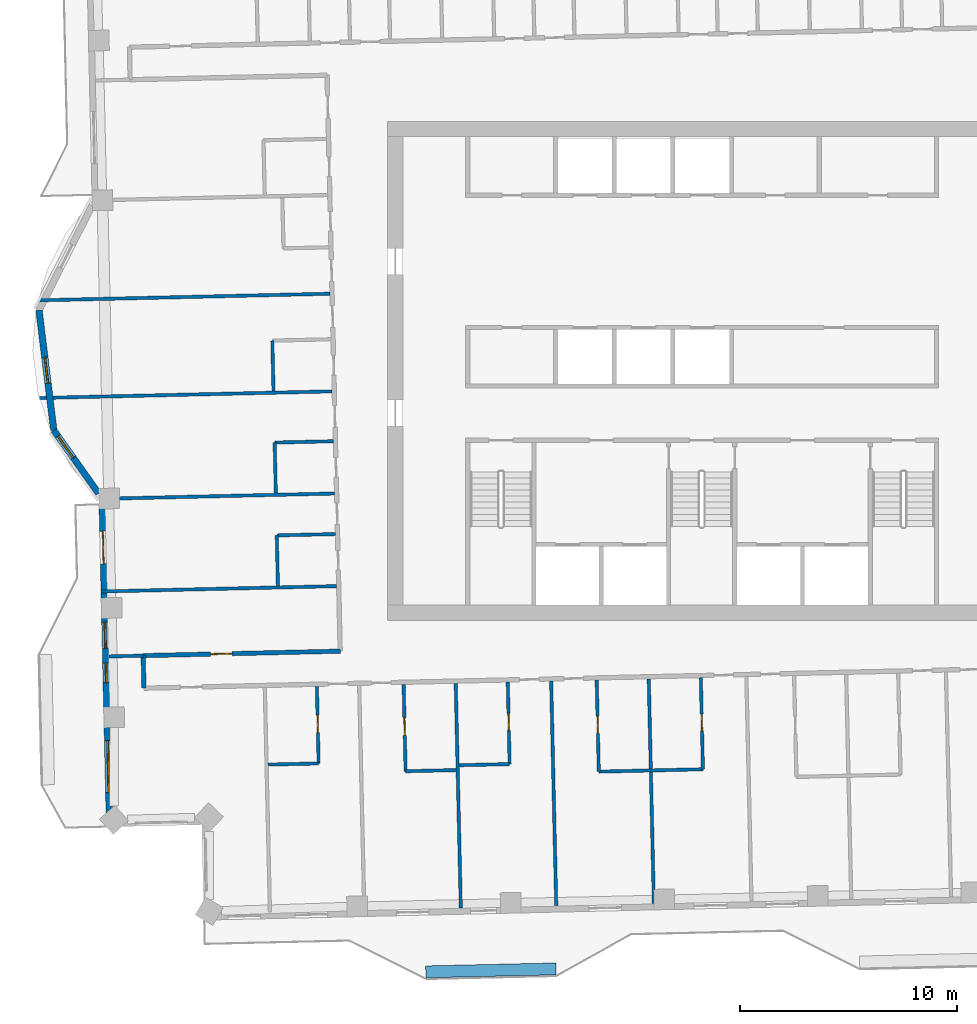
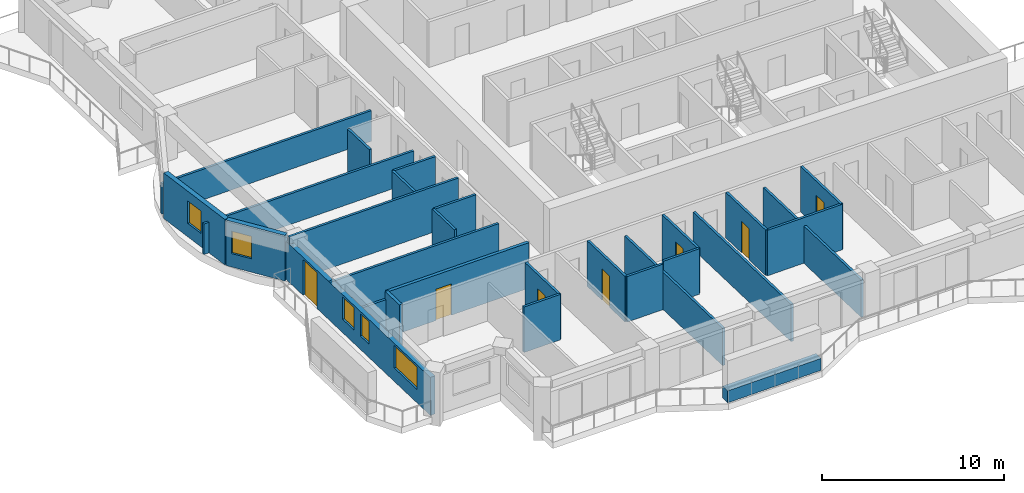
# One storey, part 6 of 18: 28 walls, 7 doors, 5 windows, 12 openings.
"""IFC4 building model written with IfcOpenShell, lengths in metres."""

from ifc_helpers import new_model, si_unit, direction, frame, frame_2d, origin, place, context, subcontext, project, spatial, rectangle, extrude, material, layer, layer_set, type_object, element, fill, save


model = new_model("IFC4")

# Units and contexts
model_context = context("Model", 3, precision=1e-05, world=origin(), true_north=direction((0.0, 1.0)))
body_context = subcontext(model_context, "Body", "Model", "MODEL_VIEW")
ifc_project = project(units=[si_unit("LENGTHUNIT", "METRE"), si_unit("AREAUNIT", "SQUARE_METRE"), si_unit("VOLUMEUNIT", "CUBIC_METRE"), si_unit("PLANEANGLEUNIT", "RADIAN"), si_unit("MASSUNIT", "GRAM", prefix="KILO")], contexts=[model_context])

# Site, building, storey
site_placement = place(None, origin())
site = spatial("IfcSite", under=ifc_project, at=site_placement, CompositionType="ELEMENT")
building_placement = place(site_placement, origin())
building = spatial("IfcBuilding", under=site, at=building_placement, Name="Mangrove Gate Tower", CompositionType="ELEMENT")
storey_placement = place(building_placement, frame((0.0, 0.0, 290.699951171875)))
storey = spatial("IfcBuildingStorey", under=building, at=storey_placement, Name="L74", CompositionType="ELEMENT", Elevation=290.699951171875)

# Wall
ifc_material_1 = material(Name="Gypsum board on steel stud, EI 60", Category="steel")
ifc_layer_1 = layer(ifc_material_1, 0.199951171875)
ifc_layer_set_1 = layer_set([ifc_layer_1], Name="Corridor wall EI 60")
wall_type_1 = type_object("IfcWallType", Name="Corridor wall EI 60", PredefinedType="PARTITIONING", material=ifc_layer_set_1)
wall_1_placement = place(storey_placement, frame((-25.72802734375, -14.6240234375, 0.0), z_axis=(0.0, 0.0, 1.0), x_axis=(-0.022632637625, 0.99974384905, 0.0)))
element("IfcWall", 1, at=wall_1_placement, inside=storey, type_object=wall_type_1, Name="WALL-L74-030", PredefinedType="PARTITIONING", context=body_context, shape_type="SweptSolid", body=[
    extrude(rectangle(XDim=1.49951171875, YDim=0.199951171875, at=frame_2d((0.749755859375, 0.0))), origin(), (0.0, 0.0, 1.0), 3.050048828125),
])

# Wall, opening, door
wall_2_placement = place(storey_placement, frame((-25.764892578125, -13.125, 0.0), z_axis=(0.0, 0.0, 1.0), x_axis=(0.999740502457, 0.022779985654, 0.0)))
wall_2 = element("IfcWall", 2, at=wall_2_placement, inside=storey, type_object=wall_type_1, Name="WALL-L74-033", PredefinedType="PARTITIONING", context=body_context, shape_type="SweptSolid", body=[
    extrude(rectangle(XDim=9.08837890625, YDim=0.199951171875, at=frame_2d((4.544189453125, 0.0))), origin(), (0.0, 0.0, 1.0), 3.050048828125),
])
opening_1_placement = place(wall_2_placement, frame((3.10693359375, 0.0, 0.0)))
opening_1 = element("IfcOpeningElement", 3, at=opening_1_placement, cuts=wall_2, Name="Opening AD", PredefinedType="OPENING", context=body_context, shape_type="SweptSolid", body=[
    extrude(rectangle(XDim=1.0, YDim=2.10009765625, at=frame_2d((0.5, 1.050048828125))), frame((0.0, 0.10986328125, 0.0), z_axis=(0.0, -1.0, 0.0), x_axis=(1.0, 0.0, 0.0)), (0.0, 0.0, 1.0), 0.219970703125),
])
ifc_material_2 = material(Name="Timber door leaf", Category="wood")
door_type_1 = type_object("IfcDoorType", Name="Amenity door 1000", OperationType="SINGLE_SWING_LEFT", PredefinedType="DOOR", material=ifc_material_2)
door_1_placement = place(opening_1_placement, origin())
door_1 = element("IfcDoor", 4, at=door_1_placement, inside=storey, type_object=door_type_1, Name="DOOR-L74-STU-c5b", OperationType="SINGLE_SWING_RIGHT", OverallHeight=2.10009765625, OverallWidth=1.0, PredefinedType="DOOR", context=body_context, shape_type="SweptSolid", body=[
    extrude(rectangle(XDim=1.0, YDim=2.10009765625, at=frame_2d((0.5, 1.050048828125))), frame((0.0, 0.02490234375, 0.0), z_axis=(0.0, -1.0, 0.0), x_axis=(1.0, 0.0, 0.0)), (0.0, 0.0, 1.0), 0.050048828125),
])
fill(opening_1, door_1)

# Wall, opening, window
ifc_material_3 = material(Name="Limestone", Category="masonry")
ifc_layer_2 = layer(ifc_material_3, 0.0400390625, Name="Limestone cladding")
ifc_material_4 = material(Name="Ventilated air gap")
ifc_layer_3 = layer(ifc_material_4, 0.0400390625, Name="Ventilated cavity")
ifc_material_5 = material(Name="Mineral wool insulation")
ifc_layer_4 = layer(ifc_material_5, 0.06005859375, Name="Insulation")
ifc_material_6 = material(Name="Breather membrane")
ifc_layer_5 = layer(ifc_material_6, 0.001953125, Name="Breather membrane")
ifc_material_7 = material(Name="Concrete C20/25 blockwork", Category="masonry")
ifc_layer_6 = layer(ifc_material_7, 0.14990234375, Name="Blockwork backing wall")
ifc_material_8 = material(Name="Gypsum plaster")
ifc_layer_7 = layer(ifc_material_8, 0.008056640625, Name="Internal plaster")
ifc_layer_set_2 = layer_set([ifc_layer_2, ifc_layer_3, ifc_layer_4, ifc_layer_5, ifc_layer_6, ifc_layer_7], Name="External wall 300 limestone cladding")
wall_type_2 = type_object("IfcWallType", Name="External wall 300 limestone cladding", PredefinedType="SOLIDWALL", material=ifc_layer_set_2)
wall_3_placement = place(storey_placement, frame((-30.56396484375, 2.7939453125, 0.0), z_axis=(0.0, 0.0, 1.0), x_axis=(0.122163831021, -0.992509948761, 0.0)))
wall_3 = element("IfcWall", 5, at=wall_3_placement, inside=storey, type_object=wall_type_2, Name="WALL-L74-W9f2", PredefinedType="SOLIDWALL", context=body_context, shape_type="SweptSolid", body=[
    extrude(rectangle(XDim=5.57373046875, YDim=0.300048828125, at=frame_2d((2.786865234375, 0.0))), origin(), (0.0, 0.0, 1.0), 3.050048828125),
])
opening_2_placement = place(wall_3_placement, frame((2.18701171875, 0.0, 0.89990234375)))
opening_2 = element("IfcOpeningElement", 6, at=opening_2_placement, cuts=wall_3, Name="Opening W1", PredefinedType="OPENING", context=body_context, shape_type="SweptSolid", body=[
    extrude(rectangle(XDim=1.199951171875, YDim=1.5, at=frame_2d((0.60009765625, 0.75))), frame((0.0, 0.159912109375, 0.0), z_axis=(0.0, -1.0, 0.0), x_axis=(1.0, 0.0, 0.0)), (0.0, 0.0, 1.0), 0.320068359375),
])
ifc_material_9 = material(Name="Aluminium frame with double-glazed low-e glass", Category="aluminium")
window_type_1 = type_object("IfcWindowType", Name="Side lite 1200x1500", PartitioningType="SINGLE_PANEL", PredefinedType="WINDOW", material=ifc_material_9)
window_1_placement = place(opening_2_placement, origin())
window_1 = element("IfcWindow", 7, at=window_1_placement, inside=storey, type_object=window_type_1, Name="WIN-L74-W9f2", OverallHeight=1.5, OverallWidth=1.199951171875, PartitioningType="SINGLE_PANEL", PredefinedType="WINDOW", context=body_context, shape_type="SweptSolid", body=[
    extrude(rectangle(XDim=1.199951171875, YDim=1.5, at=frame_2d((0.60009765625, 0.75))), frame((0.0, 0.030029296875, 0.0), z_axis=(0.0, -1.0, 0.0), x_axis=(1.0, 0.0, 0.0)), (0.0, 0.0, 1.0), 0.06005859375),
])
fill(opening_2, window_1)

wall_4_placement = place(storey_placement, frame((-29.883056640625, -2.738037109375, 0.0), z_axis=(0.0, 0.0, 1.0), x_axis=(0.578095163598, -0.815969351033, 0.0)))
wall_4 = element("IfcWall", 8, at=wall_4_placement, inside=storey, type_object=wall_type_2, Name="WALL-L74-W9f3", PredefinedType="SOLIDWALL", context=body_context, shape_type="SweptSolid", body=[
    extrude(rectangle(XDim=3.568603515625, YDim=0.300048828125, at=frame_2d((1.7841796875, 0.0))), origin(), (0.0, 0.0, 1.0), 3.050048828125),
])
opening_3_placement = place(wall_4_placement, frame((0.337890625, 0.0, 0.89990234375)))
opening_3 = element("IfcOpeningElement", 9, at=opening_3_placement, cuts=wall_4, Name="Opening W1", PredefinedType="OPENING", context=body_context, shape_type="SweptSolid", body=[
    extrude(rectangle(XDim=1.199951171875, YDim=1.5, at=frame_2d((0.60009765625, 0.75))), frame((0.0, 0.159912109375, 0.0), z_axis=(0.0, -1.0, 0.0), x_axis=(1.0, 0.0, 0.0)), (0.0, 0.0, 1.0), 0.320068359375),
])
window_2_placement = place(opening_3_placement, origin())
window_2 = element("IfcWindow", 10, at=window_2_placement, inside=storey, type_object=window_type_1, Name="WIN-L74-W9f3", OverallHeight=1.5, OverallWidth=1.199951171875, PartitioningType="SINGLE_PANEL", PredefinedType="WINDOW", context=body_context, shape_type="SweptSolid", body=[
    extrude(rectangle(XDim=1.199951171875, YDim=1.5, at=frame_2d((0.60009765625, 0.75))), frame((0.0, 0.030029296875, 0.0), z_axis=(0.0, -1.0, 0.0), x_axis=(1.0, 0.0, 0.0)), (0.0, 0.0, 1.0), 0.06005859375),
])
fill(opening_3, window_2)

# Wall, openings, door, windows
wall_5_placement = place(storey_placement, frame((-27.6650390625, -5.416015625, 0.0), z_axis=(0.0, 0.0, 1.0), x_axis=(0.022660024814, -0.999743228672, 0.0)))
wall_5 = element("IfcWall", 11, at=wall_5_placement, inside=storey, type_object=wall_type_2, Name="WALL-L74-W10s1", PredefinedType="SOLIDWALL", context=body_context, shape_type="SweptSolid", body=[
    extrude(rectangle(XDim=15.449951171875, YDim=0.300048828125, at=frame_2d((7.72509765625, 0.0))), origin(), (0.0, 0.0, 1.0), 2.550048828125),
])
opening_4_placement = place(wall_5_placement, frame((1.97509765625, 0.0, 0.0)))
opening_4 = element("IfcOpeningElement", 12, at=opening_4_placement, cuts=wall_5, Name="Opening BD1", PredefinedType="OPENING", context=body_context, shape_type="SweptSolid", body=[
    extrude(rectangle(XDim=1.5, YDim=2.39990234375, at=frame_2d((0.75, 1.199951171875))), frame((0.0, 0.159912109375, 0.0), z_axis=(0.0, -1.0, 0.0), x_axis=(1.0, 0.0, 0.0)), (0.0, 0.0, 1.0), 0.320068359375),
])
opening_5_placement = place(wall_5_placement, frame((6.1708984375, 0.0, 0.89990234375)))
opening_5 = element("IfcOpeningElement", 13, at=opening_5_placement, cuts=wall_5, Name="Opening W1", PredefinedType="OPENING", context=body_context, shape_type="SweptSolid", body=[
    extrude(rectangle(XDim=1.199951171875, YDim=1.5, at=frame_2d((0.60009765625, 0.75))), frame((0.0, 0.159912109375, 0.0), z_axis=(0.0, -1.0, 0.0), x_axis=(1.0, 0.0, 0.0)), (0.0, 0.0, 1.0), 0.320068359375),
])
opening_6_placement = place(wall_5_placement, frame((8.050048828125, 0.0, 0.89990234375)))
opening_6 = element("IfcOpeningElement", 14, at=opening_6_placement, cuts=wall_5, Name="Opening W5", PredefinedType="OPENING", context=body_context, shape_type="SweptSolid", body=[
    extrude(rectangle(XDim=0.89990234375, YDim=1.5, at=frame_2d((0.449951171875, 0.75))), frame((0.0, 0.159912109375, 0.0), z_axis=(0.0, -1.0, 0.0), x_axis=(1.0, 0.0, 0.0)), (0.0, 0.0, 1.0), 0.320068359375),
])
opening_7_placement = place(wall_5_placement, frame((11.625, 0.0, 0.89990234375)))
opening_7 = element("IfcOpeningElement", 15, at=opening_7_placement, cuts=wall_5, Name="Opening W2", PredefinedType="OPENING", context=body_context, shape_type="SweptSolid", body=[
    extrude(rectangle(XDim=2.39990234375, YDim=1.5, at=frame_2d((1.199951171875, 0.75))), frame((0.0, 0.159912109375, 0.0), z_axis=(0.0, -1.0, 0.0), x_axis=(1.0, 0.0, 0.0)), (0.0, 0.0, 1.0), 0.320068359375),
])
ifc_material_10 = material(Name="Aluminium frame with laminated clear glass", Category="aluminium")
door_type_2 = type_object("IfcDoorType", Name="Balcony sliding door 1500x2400", OperationType="SLIDING_TO_LEFT", PredefinedType="DOOR", material=ifc_material_10)
door_2_placement = place(opening_4_placement, origin())
door_2 = element("IfcDoor", 16, at=door_2_placement, inside=storey, type_object=door_type_2, Name="DOOR-L74-W10-1", OperationType="SLIDING_TO_LEFT", OverallHeight=2.39990234375, OverallWidth=1.5, PredefinedType="DOOR", context=body_context, shape_type="SweptSolid", body=[
    extrude(rectangle(XDim=1.5, YDim=2.39990234375, at=frame_2d((0.75, 1.199951171875))), frame((0.0, 0.02490234375, 0.0), z_axis=(0.0, -1.0, 0.0), x_axis=(1.0, 0.0, 0.0)), (0.0, 0.0, 1.0), 0.050048828125),
])
fill(opening_4, door_2)
ifc_material_11 = material(Name="Aluminium frame with double-glazed low-e glass", Category="aluminium")
window_type_2 = type_object("IfcWindowType", Name="Corner room window 2400x1500", PartitioningType="DOUBLE_PANEL_VERTICAL", PredefinedType="WINDOW", material=ifc_material_11)
window_3_placement = place(opening_7_placement, origin())
window_3 = element("IfcWindow", 17, at=window_3_placement, inside=storey, type_object=window_type_2, Name="WIN-L74-W10-4", OverallHeight=1.5, OverallWidth=2.39990234375, PartitioningType="DOUBLE_PANEL_VERTICAL", PredefinedType="WINDOW", context=body_context, shape_type="SweptSolid", body=[
    extrude(rectangle(XDim=2.39990234375, YDim=1.5, at=frame_2d((1.199951171875, 0.75))), frame((0.0, 0.030029296875, 0.0), z_axis=(0.0, -1.0, 0.0), x_axis=(1.0, 0.0, 0.0)), (0.0, 0.0, 1.0), 0.06005859375),
])
fill(opening_7, window_3)
ifc_material_12 = material(Name="Aluminium frame with double-glazed low-e glass", Category="aluminium")
window_type_3 = type_object("IfcWindowType", Name="Narrow window 900x1500", PartitioningType="SINGLE_PANEL", PredefinedType="WINDOW", material=ifc_material_12)
window_4_placement = place(opening_6_placement, origin())
window_4 = element("IfcWindow", 18, at=window_4_placement, inside=storey, type_object=window_type_3, Name="WIN-L74-W10-3", OverallHeight=1.5, OverallWidth=0.89990234375, PartitioningType="SINGLE_PANEL", PredefinedType="WINDOW", context=body_context, shape_type="SweptSolid", body=[
    extrude(rectangle(XDim=0.89990234375, YDim=1.5, at=frame_2d((0.449951171875, 0.75))), frame((0.0, 0.030029296875, 0.0), z_axis=(0.0, -1.0, 0.0), x_axis=(1.0, 0.0, 0.0)), (0.0, 0.0, 1.0), 0.06005859375),
])
fill(opening_6, window_4)
window_5_placement = place(opening_5_placement, origin())
window_5 = element("IfcWindow", 19, at=window_5_placement, inside=storey, type_object=window_type_1, Name="WIN-L74-W10-2", OverallHeight=1.5, OverallWidth=1.199951171875, PartitioningType="SINGLE_PANEL", PredefinedType="WINDOW", context=body_context, shape_type="SweptSolid", body=[
    extrude(rectangle(XDim=1.199951171875, YDim=1.5, at=frame_2d((0.60009765625, 0.75))), frame((0.0, 0.030029296875, 0.0), z_axis=(0.0, -1.0, 0.0), x_axis=(1.0, 0.0, 0.0)), (0.0, 0.0, 1.0), 0.06005859375),
])
fill(opening_5, window_5)

# Walls
ifc_material_13 = material(Name="Gypsum board on steel stud, EI 60", Category="steel")
ifc_layer_8 = layer(ifc_material_13, 0.14990234375)
ifc_layer_set_3 = layer_set([ifc_layer_8], Name="Party wall 150 EI 60")
wall_type_3 = type_object("IfcWallType", Name="Party wall 150 EI 60", PredefinedType="PARTITIONING", material=ifc_layer_set_3)
wall_6_placement = place(storey_placement, frame((-11.1240234375, -24.74609375, 0.0), z_axis=(0.0, 0.0, 1.0), x_axis=(-0.022690329938, 0.999742541321, 0.0)))
element("IfcWall", 20, at=wall_6_placement, inside=storey, type_object=wall_type_3, Name="WALL-L74-003", PredefinedType="PARTITIONING", context=body_context, shape_type="SweptSolid", body=[
    extrude(rectangle(XDim=10.350830078125, YDim=0.14990234375, at=frame_2d((5.17529296875, 0.0))), origin(), (0.0, 0.0, 1.0), 2.5),
])
for number, where, z_axis, x_axis, name in (
    (21, (-6.72607421875, -24.64599609375, 0.0), (0.0, 0.0, 1.0), (-0.022596564565, 0.999744665037, 0.0), "WALL-L74-004"),
    (22, (-2.22705078125, -24.5439453125, 0.0), (0.0, 0.0, 1.0), (-0.022690865001, 0.999742529177, 0.0), "WALL-L74-005"),
):
    element("IfcWall", number, at=place(storey_placement, frame(where, z_axis=z_axis, x_axis=x_axis)), inside=storey, type_object=wall_type_3, Name=name, PredefinedType="PARTITIONING", context=body_context, shape_type="SweptSolid", body=[
        extrude(rectangle(XDim=10.3505859375, YDim=0.14990234375, at=frame_2d((5.17529296875, 0.0))), origin(), (0.0, 0.0, 1.0), 2.5),
    ])

# Wall, opening, door
wall_7_placement = place(storey_placement, frame((-4.764892578125, -18.469970703125, 0.0), z_axis=(0.0, 0.0, 1.0), x_axis=(-0.022793682944, 0.999740190258, 0.0)))
wall_7 = element("IfcWall", 23, at=wall_7_placement, inside=storey, type_object=wall_type_3, Name="WALL-L74-016", PredefinedType="PARTITIONING", context=body_context, shape_type="SweptSolid", body=[
    extrude(rectangle(XDim=4.219970703125, YDim=0.14990234375, at=frame_2d((2.10986328125, 0.0))), origin(), (0.0, 0.0, 1.0), 3.050048828125),
])
opening_8_placement = place(wall_7_placement, frame((1.760009765625, 0.0, 0.0)))
opening_8 = element("IfcOpeningElement", 24, at=opening_8_placement, cuts=wall_7, Name="Opening ED", PredefinedType="OPENING", context=body_context, shape_type="SweptSolid", body=[
    extrude(rectangle(XDim=0.800048828125, YDim=2.10009765625, at=frame_2d((0.39990234375, 1.050048828125))), frame((0.0, 0.0849609375, 0.0), z_axis=(0.0, -1.0, 0.0), x_axis=(1.0, 0.0, 0.0)), (0.0, 0.0, 1.0), 0.169921875),
])
ifc_material_14 = material(Name="Timber door leaf", Category="wood")
door_type_3 = type_object("IfcDoorType", Name="En-suite door 800", OperationType="SINGLE_SWING_LEFT", PredefinedType="DOOR", material=ifc_material_14)
door_3_placement = place(opening_8_placement, origin())
door_3 = element("IfcDoor", 25, at=door_3_placement, inside=storey, type_object=door_type_3, Name="DOOR-L74-ENS-c104", OperationType="SINGLE_SWING_RIGHT", OverallHeight=2.10009765625, OverallWidth=0.800048828125, PredefinedType="DOOR", context=body_context, shape_type="SweptSolid", body=[
    extrude(rectangle(XDim=0.800048828125, YDim=2.10009765625, at=frame_2d((0.39990234375, 1.050048828125))), frame((0.0, 0.02490234375, 0.0), z_axis=(0.0, -1.0, 0.0), x_axis=(1.0, 0.0, 0.0)), (0.0, 0.0, 1.0), 0.050048828125),
])
fill(opening_8, door_3)

# Wall
wall_8_placement = place(storey_placement, frame((-4.762939453125, -18.469970703125, 0.0), z_axis=(0.0, 0.0, 1.0), x_axis=(0.999742675121, 0.022684433919, 0.0)))
element("IfcWall", 26, at=wall_8_placement, inside=storey, type_object=wall_type_3, Name="WALL-L74-017", PredefinedType="PARTITIONING", context=body_context, shape_type="SweptSolid", body=[
    extrude(rectangle(XDim=4.800048828125, YDim=0.14990234375, at=frame_2d((2.39990234375, 0.0))), origin(), (0.0, 0.0, 1.0), 3.050048828125),
])

# Wall, opening, door
wall_9_placement = place(storey_placement, frame((0.033935546875, -18.361083984375, 0.0), z_axis=(0.0, 0.0, 1.0), x_axis=(-0.0227358609, 0.999741506905, 0.0)))
wall_9 = element("IfcWall", 27, at=wall_9_placement, inside=storey, type_object=wall_type_3, Name="WALL-L74-018", PredefinedType="PARTITIONING", context=body_context, shape_type="SweptSolid", body=[
    extrude(rectangle(XDim=4.219970703125, YDim=0.14990234375, at=frame_2d((2.10986328125, 0.0))), origin(), (0.0, 0.0, 1.0), 3.050048828125),
])
opening_9_placement = place(wall_9_placement, frame((1.760009765625, 0.0, 0.0)))
opening_9 = element("IfcOpeningElement", 28, at=opening_9_placement, cuts=wall_9, Name="Opening ED", PredefinedType="OPENING", context=body_context, shape_type="SweptSolid", body=[
    extrude(rectangle(XDim=0.800048828125, YDim=2.10009765625, at=frame_2d((0.39990234375, 1.050048828125))), frame((0.0, 0.0849609375, 0.0), z_axis=(0.0, -1.0, 0.0), x_axis=(1.0, 0.0, 0.0)), (0.0, 0.0, 1.0), 0.169921875),
])
door_4_placement = place(opening_9_placement, origin())
door_4 = element("IfcDoor", 29, at=door_4_placement, inside=storey, type_object=door_type_3, Name="DOOR-L74-ENS-c205", OperationType="SINGLE_SWING_LEFT", OverallHeight=2.10009765625, OverallWidth=0.800048828125, PredefinedType="DOOR", context=body_context, shape_type="SweptSolid", body=[
    extrude(rectangle(XDim=0.800048828125, YDim=2.10009765625, at=frame_2d((0.39990234375, 1.050048828125))), frame((0.0, 0.02490234375, 0.0), z_axis=(0.0, -1.0, 0.0), x_axis=(1.0, 0.0, 0.0)), (0.0, 0.0, 1.0), 0.050048828125),
])
fill(opening_9, door_4)

wall_10_placement = place(storey_placement, frame((-13.66796875, -18.451904296875, 0.0), z_axis=(0.0, 0.0, 1.0), x_axis=(-0.022765770952, 0.999740826251, 0.0)))
wall_10 = element("IfcWall", 30, at=wall_10_placement, inside=storey, type_object=wall_type_3, Name="WALL-L74-019", PredefinedType="PARTITIONING", context=body_context, shape_type="SweptSolid", body=[
    extrude(rectangle(XDim=4.0, YDim=0.14990234375, at=frame_2d((2.0, 0.0))), origin(), (0.0, 0.0, 1.0), 3.050048828125),
])
opening_10_placement = place(wall_10_placement, frame((1.64990234375, 0.0, 0.0)))
opening_10 = element("IfcOpeningElement", 31, at=opening_10_placement, cuts=wall_10, Name="Opening ED", PredefinedType="OPENING", context=body_context, shape_type="SweptSolid", body=[
    extrude(rectangle(XDim=0.800048828125, YDim=2.10009765625, at=frame_2d((0.39990234375, 1.050048828125))), frame((0.0, 0.0849609375, 0.0), z_axis=(0.0, -1.0, 0.0), x_axis=(1.0, 0.0, 0.0)), (0.0, 0.0, 1.0), 0.169921875),
])
door_5_placement = place(opening_10_placement, origin())
door_5 = element("IfcDoor", 32, at=door_5_placement, inside=storey, type_object=door_type_3, Name="DOOR-L74-ENS-c102", OperationType="SINGLE_SWING_RIGHT", OverallHeight=2.10009765625, OverallWidth=0.800048828125, PredefinedType="DOOR", context=body_context, shape_type="SweptSolid", body=[
    extrude(rectangle(XDim=0.800048828125, YDim=2.10009765625, at=frame_2d((0.39990234375, 1.050048828125))), frame((0.0, 0.02490234375, 0.0), z_axis=(0.0, -1.0, 0.0), x_axis=(1.0, 0.0, 0.0)), (0.0, 0.0, 1.0), 0.050048828125),
])
fill(opening_10, door_5)

# Walls
for number, where, z_axis, x_axis, name in (
    (33, (-13.666015625, -18.451904296875, 0.0), (0.0, 0.0, 1.0), (0.999740478815, 0.022781023197, 0.0), "WALL-L74-020"),
    (34, (-11.197021484375, -18.175048828125, 0.0), (0.0, 0.0, 1.0), (0.999749954681, 0.022361308448, 0.0), "WALL-L74-021"),
):
    element("IfcWall", number, at=place(storey_placement, frame(where, z_axis=z_axis, x_axis=x_axis)), inside=storey, type_object=wall_type_3, Name=name, PredefinedType="PARTITIONING", context=body_context, shape_type="SweptSolid", body=[
        extrude(rectangle(XDim=2.325439453125, YDim=0.14990234375, at=frame_2d((1.16259765625, 0.0))), origin(), (0.0, 0.0, 1.0), 3.050048828125),
    ])

# Wall, opening, door
wall_11_placement = place(storey_placement, frame((-8.8740234375, -18.123046875, 0.0), z_axis=(0.0, 0.0, 1.0), x_axis=(-0.0227346095, 0.999741535363, 0.0)))
wall_11 = element("IfcWall", 35, at=wall_11_placement, inside=storey, type_object=wall_type_3, Name="WALL-L74-022", PredefinedType="PARTITIONING", context=body_context, shape_type="SweptSolid", body=[
    extrude(rectangle(XDim=3.780029296875, YDim=0.14990234375, at=frame_2d((1.89013671875, 0.0))), origin(), (0.0, 0.0, 1.0), 3.050048828125),
])
opening_11_placement = place(wall_11_placement, frame((1.5400390625, 0.0, 0.0)))
opening_11 = element("IfcOpeningElement", 36, at=opening_11_placement, cuts=wall_11, Name="Opening ED", PredefinedType="OPENING", context=body_context, shape_type="SweptSolid", body=[
    extrude(rectangle(XDim=0.800048828125, YDim=2.10009765625, at=frame_2d((0.39990234375, 1.050048828125))), frame((0.0, 0.0849609375, 0.0), z_axis=(0.0, -1.0, 0.0), x_axis=(1.0, 0.0, 0.0)), (0.0, 0.0, 1.0), 0.169921875),
])
door_6_placement = place(opening_11_placement, origin())
door_6 = element("IfcDoor", 37, at=door_6_placement, inside=storey, type_object=door_type_3, Name="DOOR-L74-ENS-c103", OperationType="SINGLE_SWING_LEFT", OverallHeight=2.10009765625, OverallWidth=0.800048828125, PredefinedType="DOOR", context=body_context, shape_type="SweptSolid", body=[
    extrude(rectangle(XDim=0.800048828125, YDim=2.10009765625, at=frame_2d((0.39990234375, 1.050048828125))), frame((0.0, 0.02490234375, 0.0), z_axis=(0.0, -1.0, 0.0), x_axis=(1.0, 0.0, 0.0)), (0.0, 0.0, 1.0), 0.050048828125),
])
fill(opening_11, door_6)

# Wall
wall_12_placement = place(storey_placement, frame((-19.9990234375, -18.14501953125, 0.0), z_axis=(0.0, 0.0, 1.0), x_axis=(0.999740260747, 0.02279059109, 0.0)))
element("IfcWall", 38, at=wall_12_placement, inside=storey, type_object=wall_type_3, Name="WALL-L74-023", PredefinedType="PARTITIONING", context=body_context, shape_type="SweptSolid", body=[
    extrude(rectangle(XDim=2.324462890625, YDim=0.14990234375, at=frame_2d((1.162109375, 0.0))), origin(), (0.0, 0.0, 1.0), 3.050048828125),
])

# Wall, opening, door
wall_13_placement = place(storey_placement, frame((-17.677001953125, -18.092041015625, 0.0), z_axis=(0.0, 0.0, 1.0), x_axis=(-0.022832321005, 0.999739308579, 0.0)))
wall_13 = element("IfcWall", 39, at=wall_13_placement, inside=storey, type_object=wall_type_3, Name="WALL-L74-024", PredefinedType="PARTITIONING", context=body_context, shape_type="SweptSolid", body=[
    extrude(rectangle(XDim=3.550048828125, YDim=0.14990234375, at=frame_2d((1.77490234375, 0.0))), origin(), (0.0, 0.0, 1.0), 3.050048828125),
])
opening_12_placement = place(wall_13_placement, frame((1.425048828125, 0.0, 0.0)))
opening_12 = element("IfcOpeningElement", 40, at=opening_12_placement, cuts=wall_13, Name="Opening ED", PredefinedType="OPENING", context=body_context, shape_type="SweptSolid", body=[
    extrude(rectangle(XDim=0.800048828125, YDim=2.10009765625, at=frame_2d((0.39990234375, 1.050048828125))), frame((0.0, 0.0849609375, 0.0), z_axis=(0.0, -1.0, 0.0), x_axis=(1.0, 0.0, 0.0)), (0.0, 0.0, 1.0), 0.169921875),
])
door_7_placement = place(opening_12_placement, origin())
door_7 = element("IfcDoor", 41, at=door_7_placement, inside=storey, type_object=door_type_3, Name="DOOR-L74-ENS-c101", OperationType="SINGLE_SWING_LEFT", OverallHeight=2.10009765625, OverallWidth=0.800048828125, PredefinedType="DOOR", context=body_context, shape_type="SweptSolid", body=[
    extrude(rectangle(XDim=0.800048828125, YDim=2.10009765625, at=frame_2d((0.39990234375, 1.050048828125))), frame((0.0, 0.02490234375, 0.0), z_axis=(0.0, -1.0, 0.0), x_axis=(1.0, 0.0, 0.0)), (0.0, 0.0, 1.0), 0.050048828125),
])
fill(opening_12, door_7)

# Walls
wall_14_placement = place(storey_placement, frame((-27.339111328125, -13.159912109375, 0.0), z_axis=(0.0, 0.0, 1.0), x_axis=(0.999755386732, 0.022117113289, 0.0)))
element("IfcWall", 42, at=wall_14_placement, inside=storey, type_object=wall_type_3, Name="WALL-L74-032", PredefinedType="PARTITIONING", context=body_context, shape_type="SweptSolid", body=[
    extrude(rectangle(XDim=1.57861328125, YDim=0.14990234375, at=frame_2d((0.789306640625, 0.0))), origin(), (0.0, 0.0, 1.0), 2.550048828125),
])
wall_15_placement = place(storey_placement, frame((-27.70703125, -10.16796875, 0.0), z_axis=(0.0, 0.0, 1.0), x_axis=(0.999741313154, 0.022744378952, 0.0)))
element("IfcWall", 43, at=wall_15_placement, inside=storey, type_object=wall_type_3, Name="WALL-L74-038", PredefinedType="PARTITIONING", context=body_context, shape_type="SweptSolid", body=[
    extrude(rectangle(XDim=10.863037109375, YDim=0.14990234375, at=frame_2d((5.431640625, 0.0))), origin(), (0.0, 0.0, 1.0), 2.550048828125),
])
wall_16_placement = place(storey_placement, frame((-19.552978515625, -9.907958984375, 0.0), z_axis=(0.0, 0.0, 1.0), x_axis=(-0.022781023197, 0.999740478815, 0.0)))
element("IfcWall", 44, at=wall_16_placement, inside=storey, type_object=wall_type_3, Name="WALL-L74-039", PredefinedType="PARTITIONING", context=body_context, shape_type="SweptSolid", body=[
    extrude(rectangle(XDim=2.325439453125, YDim=0.14990234375, at=frame_2d((1.16259765625, 0.0))), origin(), (0.0, 0.0, 1.0), 3.050048828125),
])
wall_17_placement = place(storey_placement, frame((-19.60107421875, -7.5830078125, 0.0), z_axis=(0.0, 0.0, 1.0), x_axis=(0.999744396973, 0.02260842146, 0.0)))
element("IfcWall", 45, at=wall_17_placement, inside=storey, type_object=wall_type_3, Name="WALL-L74-040", PredefinedType="PARTITIONING", context=body_context, shape_type="SweptSolid", body=[
    extrude(rectangle(XDim=2.69970703125, YDim=0.14990234375, at=frame_2d((1.349853515625, 0.0))), origin(), (0.0, 0.0, 1.0), 3.050048828125),
])
wall_18_placement = place(storey_placement, frame((-27.803955078125, -5.89892578125, 0.0), z_axis=(0.0, 0.0, 1.0), x_axis=(0.999743850541, 0.02263257177, 0.0)))
element("IfcWall", 46, at=wall_18_placement, inside=storey, type_object=wall_type_3, Name="WALL-L74-041", PredefinedType="PARTITIONING", context=body_context, shape_type="SweptSolid", body=[
    extrude(rectangle(XDim=10.862548828125, YDim=0.14990234375, at=frame_2d((5.43115234375, 0.0))), origin(), (0.0, 0.0, 1.0), 3.050048828125),
])
wall_19_placement = place(storey_placement, frame((-19.64990234375, -5.634033203125, 0.0), z_axis=(0.0, 0.0, 1.0), x_axis=(-0.02279059109, 0.999740260747, 0.0)))
element("IfcWall", 47, at=wall_19_placement, inside=storey, type_object=wall_type_3, Name="WALL-L74-042", PredefinedType="PARTITIONING", context=body_context, shape_type="SweptSolid", body=[
    extrude(rectangle(XDim=2.324462890625, YDim=0.14990234375, at=frame_2d((1.162109375, 0.0))), origin(), (0.0, 0.0, 1.0), 3.050048828125),
])
wall_20_placement = place(storey_placement, frame((-19.697998046875, -3.303955078125, 0.0), z_axis=(0.0, 0.0, 1.0), x_axis=(0.999744396973, 0.02260842146, 0.0)))
element("IfcWall", 48, at=wall_20_placement, inside=storey, type_object=wall_type_3, Name="WALL-L74-043", PredefinedType="PARTITIONING", context=body_context, shape_type="SweptSolid", body=[
    extrude(rectangle(XDim=2.69970703125, YDim=0.14990234375, at=frame_2d((1.349853515625, 0.0))), origin(), (0.0, 0.0, 1.0), 3.050048828125),
])
wall_21_placement = place(storey_placement, frame((-19.757080078125, -0.93505859375, 0.0), z_axis=(0.0, 0.0, 1.0), x_axis=(-0.02279059109, 0.999740260747, 0.0)))
element("IfcWall", 49, at=wall_21_placement, inside=storey, type_object=wall_type_3, Name="WALL-L74-044", PredefinedType="PARTITIONING", context=body_context, shape_type="SweptSolid", body=[
    extrude(rectangle(XDim=2.324462890625, YDim=0.14990234375, at=frame_2d((1.162109375, 0.0))), origin(), (0.0, 0.0, 1.0), 3.050048828125),
])
wall_22_placement = place(storey_placement, frame((-30.534912109375, -1.25, 0.0), z_axis=(0.0, 0.0, 1.0), x_axis=(0.999742750552, 0.022681109296, 0.0)))
element("IfcWall", 50, at=wall_22_placement, inside=storey, type_object=wall_type_3, Name="WALL-L74-045", PredefinedType="PARTITIONING", context=body_context, shape_type="SweptSolid", body=[
    extrude(rectangle(XDim=13.4873046875, YDim=0.14990234375, at=frame_2d((6.74365234375, 0.0))), origin(), (0.0, 0.0, 1.0), 2.050048828125),
])
wall_23_placement = place(storey_placement, frame((-30.592041015625, 3.25, 0.0), z_axis=(0.0, 0.0, 1.0), x_axis=(0.999742678725, 0.022684275074, 0.0)))
element("IfcWall", 51, at=wall_23_placement, inside=storey, type_object=wall_type_3, Name="WALL-L74-047", PredefinedType="PARTITIONING", context=body_context, shape_type="SweptSolid", body=[
    extrude(rectangle(XDim=13.4423828125, YDim=0.14990234375, at=frame_2d((6.72119140625, 0.0))), origin(), (0.0, 0.0, 1.0), 2.050048828125),
])
ifc_material_15 = material(Name="Concrete C32/40", Category="concrete")
ifc_layer_9 = layer(ifc_material_15, 0.199951171875, Name="Planter trough wall")
ifc_material_16 = material(Name="Bituminous waterproofing membrane")
ifc_layer_10 = layer(ifc_material_16, 0.0048828125, Name="Waterproofing")
ifc_material_17 = material(Name="Drainage board and gravel")
ifc_layer_11 = layer(ifc_material_17, 0.044921875, Name="Drainage layer")
ifc_material_18 = material(Name="Planting soil")
ifc_layer_12 = layer(ifc_material_18, 0.300048828125, Name="Growing medium")
ifc_layer_set_4 = layer_set([ifc_layer_9, ifc_layer_10, ifc_layer_11, ifc_layer_12], Name="Planter wall 550 C32/40")
wall_type_4 = type_object("IfcWallType", Name="Planter wall 550 C32/40", PredefinedType="USERDEFINED", material=ifc_layer_set_4)
wall_24_placement = place(storey_placement, frame((-12.738037109375, -27.697998046875, 0.0), z_axis=(0.0, 0.0, 1.0), x_axis=(0.999743178102, 0.022662255828, 0.0)))
element("IfcWall", 52, at=wall_24_placement, inside=storey, type_object=wall_type_4, Name="PLANTER L74 S0.1", ObjectType="PLANTER", PredefinedType="USERDEFINED", context=body_context, shape_type="SweptSolid", body=[
    extrude(rectangle(XDim=6.00048828125, YDim=0.550048828125, at=frame_2d((3.000244140625, 0.0))), origin(), (0.0, 0.0, 1.0), 0.800048828125),
])

save(model, "model.ifc")
